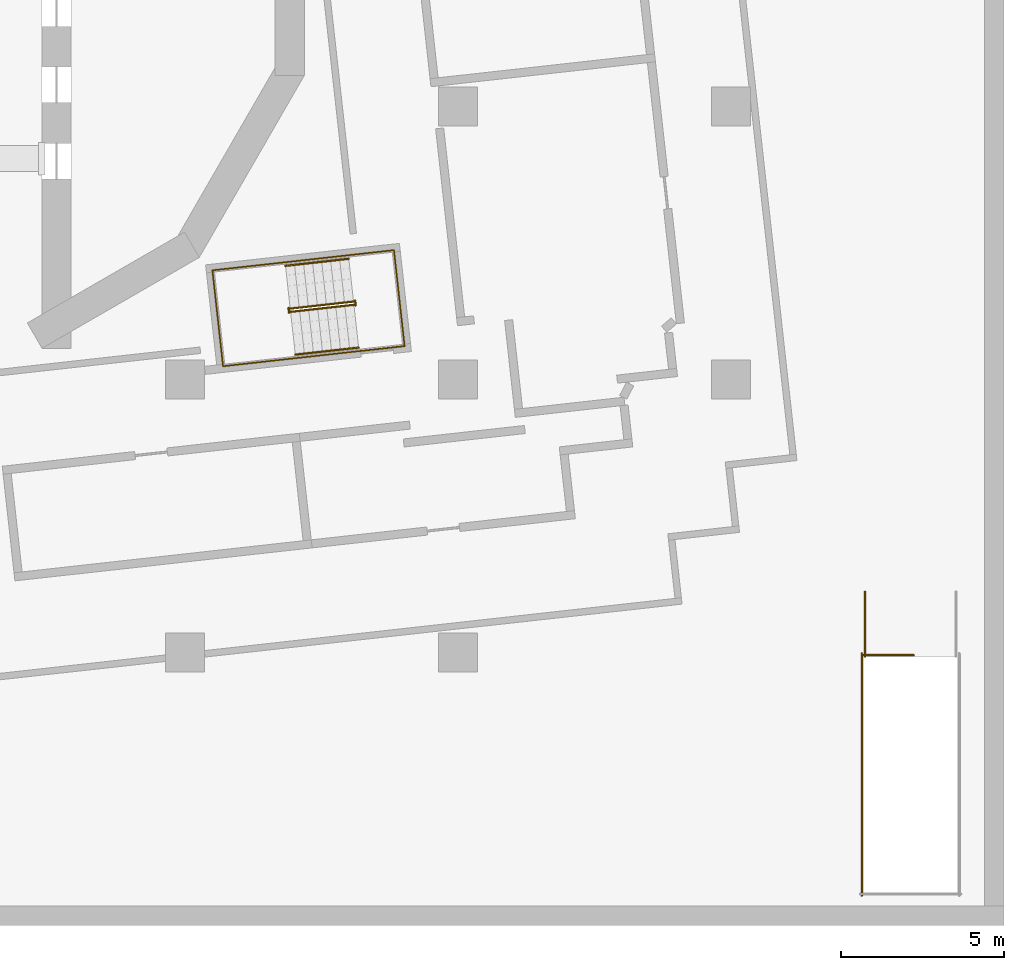
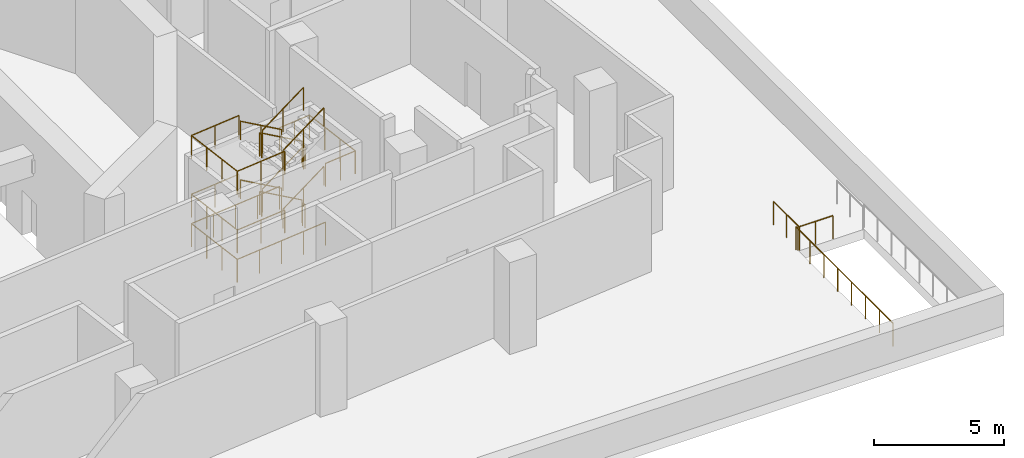
# One storey, part 8 of 12: 16 railings.
"""IFC4 building model written with IfcOpenShell, lengths in metres."""

from ifc_helpers import new_model, si_unit, direction, frame, origin, origin_2d, place, context, subcontext, project, spatial, circle, extrude, material, type_object, element, save


model = new_model("IFC4")

# Units and contexts
model_context = context("Model", 3, precision=1e-05, world=origin(), true_north=direction((0.0, 1.0)))
body_context = subcontext(model_context, "Body", "Model", "MODEL_VIEW")
ifc_project = project(units=[si_unit("LENGTHUNIT", "METRE"), si_unit("AREAUNIT", "SQUARE_METRE"), si_unit("VOLUMEUNIT", "CUBIC_METRE"), si_unit("PLANEANGLEUNIT", "RADIAN"), si_unit("MASSUNIT", "GRAM", prefix="KILO")], contexts=[model_context])

# Site, building, storey
site_placement = place(None, origin())
site = spatial("IfcSite", under=ifc_project, at=site_placement, CompositionType="ELEMENT")
building_placement = place(site_placement, origin())
building = spatial("IfcBuilding", under=site, at=building_placement, Name="Cantera Rosa Tower", CompositionType="ELEMENT")
storey_placement = place(building_placement, frame((0.0, 0.0, 37.0)))
storey = spatial("IfcBuildingStorey", under=building, at=storey_placement, Name="L06", CompositionType="ELEMENT", Elevation=37.0)

# Railings
ifc_material_1 = material(Name="Steel S355J2 (EN 10025-2)", Category="steel")
railing_type_1 = type_object("IfcRailingType", Name="STAIR GUARD 1100", PredefinedType="GUARDRAIL", material=ifc_material_1)
railing_1_placement = place(storey_placement, frame((13.5859375, -10.19677734375, 0.171875)))
element("IfcRailing", 1, at=railing_1_placement, inside=storey, type_object=railing_type_1, Name="L06 ST-14 stair guard 1", PredefinedType="GUARDRAIL", context=body_context, shape_type="SweptSolid", body=[
    extrude(circle(Radius=0.02392578125, at=origin_2d()), frame((0.0, 0.0, 1.076171875), z_axis=(-0.847036091642, -0.094056144529, 0.523147494625), x_axis=(0.110363167853, -0.993891327652, 0.0)), (0.0, 0.0, 1.0), 2.2998046875),
    extrude(circle(Radius=0.02392578125, at=origin_2d()), frame((-1.947998046875, -0.21630859375, 2.279296875), z_axis=(-0.932897555956, 0.360141847183, 0.0), x_axis=(-0.360141847183, -0.932897555956, 0.0)), (0.0, 0.0, 1.0), 0.05615234375),
    extrude(circle(Radius=0.02392578125, at=origin_2d()), frame((-2.00048828125, -0.196044921875, 2.279296875), z_axis=(0.110789159685, -0.993843932464, 0.0), x_axis=(0.993843932464, 0.110789159685, 0.0)), (0.0, 0.0, 1.0), 0.14990234375),
    extrude(circle(Radius=0.02099609375, at=origin_2d()), origin(), (0.0, 0.0, 1.0), 1.052001953125),
    extrude(circle(Radius=0.02099609375, at=origin_2d()), frame((-0.97412109375, -0.108154296875, 0.6015625)), (0.0, 0.0, 1.0), 1.052001953125),
    extrude(circle(Radius=0.02099609375, at=origin_2d()), frame((-1.947998046875, -0.21630859375, 1.203125)), (0.0, 0.0, 1.0), 1.052001953125),
    extrude(circle(Radius=0.02099609375, at=origin_2d()), frame((-2.00048828125, -0.196044921875, 1.203125)), (0.0, 0.0, 1.0), 1.052001953125),
    extrude(circle(Radius=0.02099609375, at=origin_2d()), frame((-1.98388671875, -0.344970703125, 1.203125)), (0.0, 0.0, 1.0), 1.052001953125),
])
railing_2_placement = place(storey_placement, frame((11.64892578125, -10.510498046875, 1.546875)))
element("IfcRailing", 2, at=railing_2_placement, inside=storey, type_object=railing_type_1, Name="L06 ST-14 stair guard 2", PredefinedType="GUARDRAIL", context=body_context, shape_type="SweptSolid", body=[
    extrude(circle(Radius=0.02392578125, at=origin_2d()), frame((0.0, 0.0, 1.076171875), z_axis=(0.847036091642, 0.094056144529, 0.523147494625), x_axis=(-0.110363167853, 0.993891327652, 0.0)), (0.0, 0.0, 1.0), 2.2998046875),
    extrude(circle(Radius=0.02392578125, at=origin_2d()), frame((1.947998046875, 0.21630859375, 2.279296875), z_axis=(0.931434406233, -0.363909256389, 0.0), x_axis=(0.363909256389, 0.931434406233, 0.0)), (0.0, 0.0, 1.0), 0.056396484375),
    extrude(circle(Radius=0.02392578125, at=origin_2d()), frame((2.00048828125, 0.19580078125, 2.279296875), z_axis=(-0.110610055588, 0.993863881828, 0.0), x_axis=(-0.993863881828, -0.110610055588, 0.0)), (0.0, 0.0, 1.0), 0.150146484375),
    extrude(circle(Radius=0.02099609375, at=origin_2d()), origin(), (0.0, 0.0, 1.0), 1.052001953125),
    extrude(circle(Radius=0.02099609375, at=origin_2d()), frame((0.97412109375, 0.108154296875, 0.6015625)), (0.0, 0.0, 1.0), 1.052001953125),
    extrude(circle(Radius=0.02099609375, at=origin_2d()), frame((1.947998046875, 0.21630859375, 1.203125)), (0.0, 0.0, 1.0), 1.052001953125),
    extrude(circle(Radius=0.02099609375, at=origin_2d()), frame((2.00048828125, 0.19580078125, 1.203125)), (0.0, 0.0, 1.0), 1.052001953125),
    extrude(circle(Radius=0.02099609375, at=origin_2d()), frame((1.98388671875, 0.344970703125, 1.203125)), (0.0, 0.0, 1.0), 1.052001953125),
])
railing_3_placement = place(storey_placement, frame((13.5859375, -10.19677734375, 2.921875)))
element("IfcRailing", 3, at=railing_3_placement, inside=storey, type_object=railing_type_1, Name="L06 ST-14 stair guard 3", PredefinedType="GUARDRAIL", context=body_context, shape_type="SweptSolid", body=[
    extrude(circle(Radius=0.02392578125, at=origin_2d()), frame((0.0, 0.0, 1.076171875), z_axis=(-0.847036091642, -0.094056144529, 0.523147494625), x_axis=(0.110363167853, -0.993891327652, 0.0)), (0.0, 0.0, 1.0), 2.2998046875),
    extrude(circle(Radius=0.02392578125, at=origin_2d()), frame((-1.947998046875, -0.21630859375, 2.279296875), z_axis=(-0.932897555956, 0.360141847183, 0.0), x_axis=(-0.360141847183, -0.932897555956, 0.0)), (0.0, 0.0, 1.0), 0.05615234375),
    extrude(circle(Radius=0.02392578125, at=origin_2d()), frame((-2.00048828125, -0.196044921875, 2.279296875), z_axis=(0.110789159685, -0.993843932464, 0.0), x_axis=(0.993843932464, 0.110789159685, 0.0)), (0.0, 0.0, 1.0), 0.14990234375),
    extrude(circle(Radius=0.02099609375, at=origin_2d()), origin(), (0.0, 0.0, 1.0), 1.052001953125),
    extrude(circle(Radius=0.02099609375, at=origin_2d()), frame((-0.97412109375, -0.108154296875, 0.6015625)), (0.0, 0.0, 1.0), 1.052001953125),
    extrude(circle(Radius=0.02099609375, at=origin_2d()), frame((-1.947998046875, -0.21630859375, 1.203125)), (0.0, 0.0, 1.0), 1.052001953125),
    extrude(circle(Radius=0.02099609375, at=origin_2d()), frame((-2.00048828125, -0.196044921875, 1.203125)), (0.0, 0.0, 1.0), 1.052001953125),
    extrude(circle(Radius=0.02099609375, at=origin_2d()), frame((-1.98388671875, -0.344970703125, 1.203125)), (0.0, 0.0, 1.0), 1.052001953125),
])
railing_4_placement = place(storey_placement, frame((11.64892578125, -10.510498046875, 4.296875)))
element("IfcRailing", 4, at=railing_4_placement, inside=storey, type_object=railing_type_1, Name="L06 ST-14 stair guard 4", PredefinedType="GUARDRAIL", context=body_context, shape_type="SweptSolid", body=[
    extrude(circle(Radius=0.02392578125, at=origin_2d()), frame((0.0, 0.0, 1.076171875), z_axis=(0.847036091642, 0.094056144529, 0.523147494625), x_axis=(-0.110363167853, 0.993891327652, 0.0)), (0.0, 0.0, 1.0), 2.2998046875),
    extrude(circle(Radius=0.02099609375, at=origin_2d()), origin(), (0.0, 0.0, 1.0), 1.052001953125),
    extrude(circle(Radius=0.02099609375, at=origin_2d()), frame((0.97412109375, 0.108154296875, 0.6015625)), (0.0, 0.0, 1.0), 1.052001953125),
    extrude(circle(Radius=0.02099609375, at=origin_2d()), frame((1.947998046875, 0.21630859375, 1.203125)), (0.0, 0.0, 1.0), 1.052001953125),
])
railing_5_placement = place(storey_placement, frame((13.6328125, -10.16552734375, 0.0)))
element("IfcRailing", 5, at=railing_5_placement, inside=storey, type_object=railing_type_1, Name="L06 ST-14 stair guard 5", PredefinedType="GUARDRAIL", context=body_context, shape_type="SweptSolid", body=[
    extrude(circle(Radius=0.02392578125, at=origin_2d()), frame((0.0, 0.0, 1.076171875), z_axis=(0.110610055588, -0.993863881828, 0.0), x_axis=(0.993863881828, 0.110610055588, 0.0)), (0.0, 0.0, 1.0), 0.150146484375),
    extrude(circle(Radius=0.02099609375, at=origin_2d()), origin(), (0.0, 0.0, 1.0), 1.052001953125),
    extrude(circle(Radius=0.02099609375, at=origin_2d()), frame((0.0166015625, -0.149169921875, 0.0)), (0.0, 0.0, 1.0), 1.052001953125),
])
railing_6_placement = place(storey_placement, frame((13.415771484375, -8.77099609375, 0.0)))
element("IfcRailing", 6, at=railing_6_placement, inside=storey, type_object=railing_type_1, Name="L06 ST-14 stair guard 6", PredefinedType="GUARDRAIL", context=body_context, shape_type="SweptSolid", body=[
    extrude(circle(Radius=0.02392578125, at=origin_2d()), frame((0.0, 0.0, 1.076171875), z_axis=(-0.9938957856, -0.110323013767, 0.0), x_axis=(0.110323013767, -0.9938957856, 0.0)), (0.0, 0.0, 1.0), 4.197998046875),
    extrude(circle(Radius=0.02392578125, at=origin_2d()), frame((-4.17236328125, -0.463134765625, 1.076171875), z_axis=(0.110314237986, -0.993896759678, 0.0), x_axis=(0.993896759678, 0.110314237986, 0.0)), (0.0, 0.0, 1.0), 2.969970703125),
    extrude(circle(Radius=0.02392578125, at=origin_2d()), frame((-3.8447265625, -3.4150390625, 1.076171875), z_axis=(0.9938957856, 0.110323013767, 0.0), x_axis=(-0.110323013767, 0.9938957856, 0.0)), (0.0, 0.0, 1.0), 4.197998046875),
    extrude(circle(Radius=0.02099609375, at=origin_2d()), origin(), (0.0, 0.0, 1.0), 1.052001953125),
    extrude(circle(Radius=0.02099609375, at=origin_2d()), frame((-1.04296875, -0.11572265625, 0.0)), (0.0, 0.0, 1.0), 1.052001953125),
    extrude(circle(Radius=0.02099609375, at=origin_2d()), frame((-2.086181640625, -0.2314453125, 0.0)), (0.0, 0.0, 1.0), 1.052001953125),
    extrude(circle(Radius=0.02099609375, at=origin_2d()), frame((-3.12939453125, -0.347412109375, 0.0)), (0.0, 0.0, 1.0), 1.052001953125),
    extrude(circle(Radius=0.02099609375, at=origin_2d()), frame((-4.17236328125, -0.463134765625, 0.0)), (0.0, 0.0, 1.0), 1.052001953125),
    extrude(circle(Radius=0.02099609375, at=origin_2d()), frame((-4.063232421875, -1.447021484375, 0.0)), (0.0, 0.0, 1.0), 1.052001953125),
    extrude(circle(Radius=0.02099609375, at=origin_2d()), frame((-3.953857421875, -2.43115234375, 0.0)), (0.0, 0.0, 1.0), 1.052001953125),
    extrude(circle(Radius=0.02099609375, at=origin_2d()), frame((-3.8447265625, -3.4150390625, 0.0)), (0.0, 0.0, 1.0), 1.052001953125),
    extrude(circle(Radius=0.02099609375, at=origin_2d()), frame((-2.8017578125, -3.29931640625, 0.0)), (0.0, 0.0, 1.0), 1.052001953125),
    extrude(circle(Radius=0.02099609375, at=origin_2d()), frame((-1.758544921875, -3.18359375, 0.0)), (0.0, 0.0, 1.0), 1.052001953125),
    extrude(circle(Radius=0.02099609375, at=origin_2d()), frame((-0.71533203125, -3.067626953125, 0.0)), (0.0, 0.0, 1.0), 1.052001953125),
    extrude(circle(Radius=0.02099609375, at=origin_2d()), frame((0.32763671875, -2.951904296875, 0.0)), (0.0, 0.0, 1.0), 1.052001953125),
])
railing_7_placement = place(storey_placement, frame((11.491455078125, -8.984619140625, 1.375)))
element("IfcRailing", 7, at=railing_7_placement, inside=storey, type_object=railing_type_1, Name="L06 ST-14 stair guard 7", PredefinedType="GUARDRAIL", context=body_context, shape_type="SweptSolid", body=[
    extrude(circle(Radius=0.02392578125, at=origin_2d()), frame((0.0, 0.0, 1.076171875), z_axis=(-0.993896890834, -0.110313056302, 0.0), x_axis=(0.110313056302, -0.993896890834, 0.0)), (0.0, 0.0, 1.0), 2.261962890625),
    extrude(circle(Radius=0.02392578125, at=origin_2d()), frame((-2.248046875, -0.24951171875, 1.076171875), z_axis=(0.110314237986, -0.993896759678, 0.0), x_axis=(0.993896759678, 0.110314237986, 0.0)), (0.0, 0.0, 1.0), 2.969970703125),
    extrude(circle(Radius=0.02392578125, at=origin_2d()), frame((-1.92041015625, -3.201416015625, 1.076171875), z_axis=(0.993885050909, 0.110419679309, 0.0), x_axis=(-0.110419679309, 0.993885050909, 0.0)), (0.0, 0.0, 1.0), 2.261962890625),
    extrude(circle(Radius=0.02099609375, at=origin_2d()), origin(), (0.0, 0.0, 1.0), 1.052001953125),
    extrude(circle(Radius=0.02099609375, at=origin_2d()), frame((-1.1240234375, -0.124755859375, 0.0)), (0.0, 0.0, 1.0), 1.052001953125),
    extrude(circle(Radius=0.02099609375, at=origin_2d()), frame((-2.248046875, -0.24951171875, 0.0)), (0.0, 0.0, 1.0), 1.052001953125),
    extrude(circle(Radius=0.02099609375, at=origin_2d()), frame((-2.138916015625, -1.2333984375, 0.0)), (0.0, 0.0, 1.0), 1.052001953125),
    extrude(circle(Radius=0.02099609375, at=origin_2d()), frame((-2.029541015625, -2.217529296875, 0.0)), (0.0, 0.0, 1.0), 1.052001953125),
    extrude(circle(Radius=0.02099609375, at=origin_2d()), frame((-1.92041015625, -3.201416015625, 0.0)), (0.0, 0.0, 1.0), 1.052001953125),
    extrude(circle(Radius=0.02099609375, at=origin_2d()), frame((-0.79638671875, -3.07666015625, 0.0)), (0.0, 0.0, 1.0), 1.052001953125),
    extrude(circle(Radius=0.02099609375, at=origin_2d()), frame((0.32763671875, -2.95166015625, 0.0)), (0.0, 0.0, 1.0), 1.052001953125),
])
railing_8_placement = place(storey_placement, frame((13.415771484375, -8.77099609375, 2.75)))
element("IfcRailing", 8, at=railing_8_placement, inside=storey, type_object=railing_type_1, Name="L06 ST-14 stair guard 8", PredefinedType="GUARDRAIL", context=body_context, shape_type="SweptSolid", body=[
    extrude(circle(Radius=0.02392578125, at=origin_2d()), frame((0.0, 0.0, 1.076171875), z_axis=(0.993887921413, 0.110393838913, 0.0), x_axis=(-0.110393838913, 0.993887921413, 0.0)), (0.0, 0.0, 1.0), 1.422119140625),
    extrude(circle(Radius=0.02392578125, at=origin_2d()), frame((1.413330078125, 0.156982421875, 1.076171875), z_axis=(0.110314237986, -0.993896759678, 0.0), x_axis=(0.993896759678, 0.110314237986, 0.0)), (0.0, 0.0, 1.0), 2.969970703125),
    extrude(circle(Radius=0.02392578125, at=origin_2d()), frame((1.740966796875, -2.794921875, 1.076171875), z_axis=(-0.993887921413, -0.110393838913, 0.0), x_axis=(0.110393838913, -0.993887921413, 0.0)), (0.0, 0.0, 1.0), 1.422119140625),
    extrude(circle(Radius=0.02099609375, at=origin_2d()), origin(), (0.0, 0.0, 1.0), 1.052001953125),
    extrude(circle(Radius=0.02099609375, at=origin_2d()), frame((0.70654296875, 0.07861328125, 0.0)), (0.0, 0.0, 1.0), 1.052001953125),
    extrude(circle(Radius=0.02099609375, at=origin_2d()), frame((1.413330078125, 0.156982421875, 0.0)), (0.0, 0.0, 1.0), 1.052001953125),
    extrude(circle(Radius=0.02099609375, at=origin_2d()), frame((1.5224609375, -0.826904296875, 0.0)), (0.0, 0.0, 1.0), 1.052001953125),
    extrude(circle(Radius=0.02099609375, at=origin_2d()), frame((1.6318359375, -1.81103515625, 0.0)), (0.0, 0.0, 1.0), 1.052001953125),
    extrude(circle(Radius=0.02099609375, at=origin_2d()), frame((1.740966796875, -2.794921875, 0.0)), (0.0, 0.0, 1.0), 1.052001953125),
    extrude(circle(Radius=0.02099609375, at=origin_2d()), frame((1.0341796875, -2.87353515625, 0.0)), (0.0, 0.0, 1.0), 1.052001953125),
    extrude(circle(Radius=0.02099609375, at=origin_2d()), frame((0.32763671875, -2.951904296875, 0.0)), (0.0, 0.0, 1.0), 1.052001953125),
])
railing_9_placement = place(storey_placement, frame((11.491455078125, -8.984619140625, 4.125)))
element("IfcRailing", 9, at=railing_9_placement, inside=storey, type_object=railing_type_1, Name="L06 ST-14 stair guard 9", PredefinedType="GUARDRAIL", context=body_context, shape_type="SweptSolid", body=[
    extrude(circle(Radius=0.02392578125, at=origin_2d()), frame((0.0, 0.0, 1.076171875), z_axis=(-0.993896890834, -0.110313056302, 0.0), x_axis=(0.110313056302, -0.993896890834, 0.0)), (0.0, 0.0, 1.0), 2.261962890625),
    extrude(circle(Radius=0.02392578125, at=origin_2d()), frame((-2.248046875, -0.24951171875, 1.076171875), z_axis=(0.110314237986, -0.993896759678, 0.0), x_axis=(0.993896759678, 0.110314237986, 0.0)), (0.0, 0.0, 1.0), 2.969970703125),
    extrude(circle(Radius=0.02392578125, at=origin_2d()), frame((-1.92041015625, -3.201416015625, 1.076171875), z_axis=(0.993885050909, 0.110419679309, 0.0), x_axis=(-0.110419679309, 0.993885050909, 0.0)), (0.0, 0.0, 1.0), 2.261962890625),
    extrude(circle(Radius=0.02099609375, at=origin_2d()), origin(), (0.0, 0.0, 1.0), 1.052001953125),
    extrude(circle(Radius=0.02099609375, at=origin_2d()), frame((-1.1240234375, -0.124755859375, 0.0)), (0.0, 0.0, 1.0), 1.052001953125),
    extrude(circle(Radius=0.02099609375, at=origin_2d()), frame((-2.248046875, -0.24951171875, 0.0)), (0.0, 0.0, 1.0), 1.052001953125),
    extrude(circle(Radius=0.02099609375, at=origin_2d()), frame((-2.138916015625, -1.2333984375, 0.0)), (0.0, 0.0, 1.0), 1.052001953125),
    extrude(circle(Radius=0.02099609375, at=origin_2d()), frame((-2.029541015625, -2.217529296875, 0.0)), (0.0, 0.0, 1.0), 1.052001953125),
    extrude(circle(Radius=0.02099609375, at=origin_2d()), frame((-1.92041015625, -3.201416015625, 0.0)), (0.0, 0.0, 1.0), 1.052001953125),
    extrude(circle(Radius=0.02099609375, at=origin_2d()), frame((-0.79638671875, -3.07666015625, 0.0)), (0.0, 0.0, 1.0), 1.052001953125),
    extrude(circle(Radius=0.02099609375, at=origin_2d()), frame((0.32763671875, -2.95166015625, 0.0)), (0.0, 0.0, 1.0), 1.052001953125),
])
railing_10_placement = place(storey_placement, frame((29.27490234375, -21.074951171875, 0.0)))
element("IfcRailing", 10, at=railing_10_placement, inside=storey, type_object=railing_type_1, Name="L06 ST-SE top well guard 1", PredefinedType="GUARDRAIL", context=body_context, shape_type="SweptSolid", body=[
    extrude(circle(Radius=0.02392578125, at=origin_2d()), frame((0.0, 0.0, 1.076171875), z_axis=(1.0, 0.0, 0.0), x_axis=(0.0, 1.0, 0.0)), (0.0, 0.0, 1.0), 1.550048828125),
    extrude(circle(Radius=0.02099609375, at=origin_2d()), origin(), (0.0, 0.0, 1.0), 1.052001953125),
    extrude(circle(Radius=0.02099609375, at=origin_2d()), frame((0.77490234375, 0.0, 0.0)), (0.0, 0.0, 1.0), 1.052001953125),
    extrude(circle(Radius=0.02099609375, at=origin_2d()), frame((1.550048828125, 0.0, 0.0)), (0.0, 0.0, 1.0), 1.052001953125),
])
railing_11_placement = place(storey_placement, frame((29.22509765625, -21.02490234375, 0.0)))
element("IfcRailing", 11, at=railing_11_placement, inside=storey, type_object=railing_type_1, Name="L06 ST-SE top well guard 2", PredefinedType="GUARDRAIL", context=body_context, shape_type="SweptSolid", body=[
    extrude(circle(Radius=0.02392578125, at=origin_2d()), frame((0.0, 0.0, 1.076171875), z_axis=(0.0, -1.0, 0.0), x_axis=(1.0, 0.0, 0.0)), (0.0, 0.0, 1.0), 7.4501953125),
    extrude(circle(Radius=0.02099609375, at=origin_2d()), origin(), (0.0, 0.0, 1.0), 1.052001953125),
    extrude(circle(Radius=0.02099609375, at=origin_2d()), frame((0.0, -1.064208984375, 0.0)), (0.0, 0.0, 1.0), 1.052001953125),
    extrude(circle(Radius=0.02099609375, at=origin_2d()), frame((0.0, -2.128662109375, 0.0)), (0.0, 0.0, 1.0), 1.052001953125),
    extrude(circle(Radius=0.02099609375, at=origin_2d()), frame((0.0, -3.19287109375, 0.0)), (0.0, 0.0, 1.0), 1.052001953125),
    extrude(circle(Radius=0.02099609375, at=origin_2d()), frame((0.0, -4.25732421875, 0.0)), (0.0, 0.0, 1.0), 1.052001953125),
    extrude(circle(Radius=0.02099609375, at=origin_2d()), frame((0.0, -5.321533203125, 0.0)), (0.0, 0.0, 1.0), 1.052001953125),
    extrude(circle(Radius=0.02099609375, at=origin_2d()), frame((0.0, -6.385986328125, 0.0)), (0.0, 0.0, 1.0), 1.052001953125),
    extrude(circle(Radius=0.02099609375, at=origin_2d()), frame((0.0, -7.4501953125, 0.0)), (0.0, 0.0, 1.0), 1.052001953125),
])
railing_12_placement = place(storey_placement, frame((29.324951171875, -19.125, 0.0)))
element("IfcRailing", 12, at=railing_12_placement, inside=storey, type_object=railing_type_1, Name="L06 ST-SE top well guard 5", PredefinedType="GUARDRAIL", context=body_context, shape_type="SweptSolid", body=[
    extrude(circle(Radius=0.02392578125, at=origin_2d()), frame((0.0, 0.0, 1.076171875), z_axis=(0.0, -1.0, 0.0), x_axis=(1.0, 0.0, 0.0)), (0.0, 0.0, 1.0), 2.0),
    extrude(circle(Radius=0.02099609375, at=origin_2d()), origin(), (0.0, 0.0, 1.0), 1.052001953125),
    extrude(circle(Radius=0.02099609375, at=origin_2d()), frame((0.0, -1.0, 0.0)), (0.0, 0.0, 1.0), 1.052001953125),
    extrude(circle(Radius=0.02099609375, at=origin_2d()), frame((0.0, -2.0, 0.0)), (0.0, 0.0, 1.0), 1.052001953125),
])
ifc_material_2 = material(Name="Steel S355J2 (EN 10025-2)", Category="steel")
railing_type_2 = type_object("IfcRailingType", Name="STAIR HANDRAIL 900", PredefinedType="HANDRAIL", material=ifc_material_2)
railing_13_placement = place(storey_placement, frame((13.439697265625, -8.87890625, 0.171875)))
element("IfcRailing", 13, at=railing_13_placement, inside=storey, type_object=railing_type_2, Name="L06 ST-14 stair handrail 1", PredefinedType="HANDRAIL", context=body_context, shape_type="SweptSolid", body=[
    extrude(circle(Radius=0.02392578125, at=origin_2d()), frame((0.0, 0.0, 0.8759765625), z_axis=(-0.847036091642, -0.094056144529, 0.523147494625), x_axis=(0.110363167853, -0.993891327652, 0.0)), (0.0, 0.0, 1.0), 2.2998046875),
    extrude(circle(Radius=0.02099609375, at=origin_2d()), origin(), (0.0, 0.0, 1.0), 0.851806640625),
    extrude(circle(Radius=0.02099609375, at=origin_2d()), frame((-0.97412109375, -0.108154296875, 0.6015625)), (0.0, 0.0, 1.0), 0.851806640625),
    extrude(circle(Radius=0.02099609375, at=origin_2d()), frame((-1.947998046875, -0.21630859375, 1.203125)), (0.0, 0.0, 1.0), 0.851806640625),
])
railing_14_placement = place(storey_placement, frame((11.795166015625, -11.828369140625, 1.546875)))
element("IfcRailing", 14, at=railing_14_placement, inside=storey, type_object=railing_type_2, Name="L06 ST-14 stair handrail 2", PredefinedType="HANDRAIL", context=body_context, shape_type="SweptSolid", body=[
    extrude(circle(Radius=0.02392578125, at=origin_2d()), frame((0.0, 0.0, 0.8759765625), z_axis=(0.847036091642, 0.094056144529, 0.523147494625), x_axis=(-0.110363167853, 0.993891327652, 0.0)), (0.0, 0.0, 1.0), 2.2998046875),
    extrude(circle(Radius=0.02099609375, at=origin_2d()), origin(), (0.0, 0.0, 1.0), 0.851806640625),
    extrude(circle(Radius=0.02099609375, at=origin_2d()), frame((0.97412109375, 0.108154296875, 0.6015625)), (0.0, 0.0, 1.0), 0.851806640625),
    extrude(circle(Radius=0.02099609375, at=origin_2d()), frame((1.947998046875, 0.21630859375, 1.203125)), (0.0, 0.0, 1.0), 0.851806640625),
])
railing_15_placement = place(storey_placement, frame((13.439697265625, -8.87890625, 2.921875)))
element("IfcRailing", 15, at=railing_15_placement, inside=storey, type_object=railing_type_2, Name="L06 ST-14 stair handrail 3", PredefinedType="HANDRAIL", context=body_context, shape_type="SweptSolid", body=[
    extrude(circle(Radius=0.02392578125, at=origin_2d()), frame((0.0, 0.0, 0.8759765625), z_axis=(-0.847036091642, -0.094056144529, 0.523147494625), x_axis=(0.110363167853, -0.993891327652, 0.0)), (0.0, 0.0, 1.0), 2.2998046875),
    extrude(circle(Radius=0.02099609375, at=origin_2d()), origin(), (0.0, 0.0, 1.0), 0.851806640625),
    extrude(circle(Radius=0.02099609375, at=origin_2d()), frame((-0.97412109375, -0.108154296875, 0.6015625)), (0.0, 0.0, 1.0), 0.851806640625),
    extrude(circle(Radius=0.02099609375, at=origin_2d()), frame((-1.947998046875, -0.21630859375, 1.203125)), (0.0, 0.0, 1.0), 0.851806640625),
])
railing_16_placement = place(storey_placement, frame((11.795166015625, -11.828369140625, 4.296875)))
element("IfcRailing", 16, at=railing_16_placement, inside=storey, type_object=railing_type_2, Name="L06 ST-14 stair handrail 4", PredefinedType="HANDRAIL", context=body_context, shape_type="SweptSolid", body=[
    extrude(circle(Radius=0.02392578125, at=origin_2d()), frame((0.0, 0.0, 0.8759765625), z_axis=(0.847036091642, 0.094056144529, 0.523147494625), x_axis=(-0.110363167853, 0.993891327652, 0.0)), (0.0, 0.0, 1.0), 2.2998046875),
    extrude(circle(Radius=0.02099609375, at=origin_2d()), origin(), (0.0, 0.0, 1.0), 0.851806640625),
    extrude(circle(Radius=0.02099609375, at=origin_2d()), frame((0.97412109375, 0.108154296875, 0.6015625)), (0.0, 0.0, 1.0), 0.851806640625),
    extrude(circle(Radius=0.02099609375, at=origin_2d()), frame((1.947998046875, 0.21630859375, 1.203125)), (0.0, 0.0, 1.0), 0.851806640625),
])

save(model, "model.ifc")
